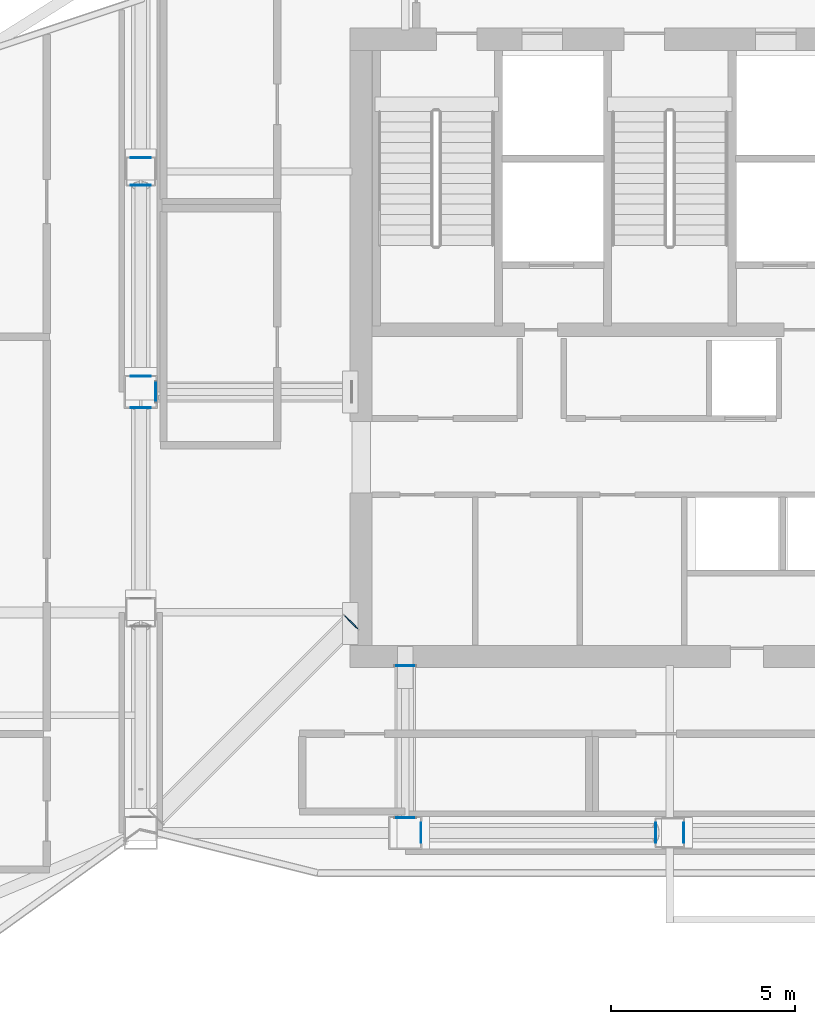
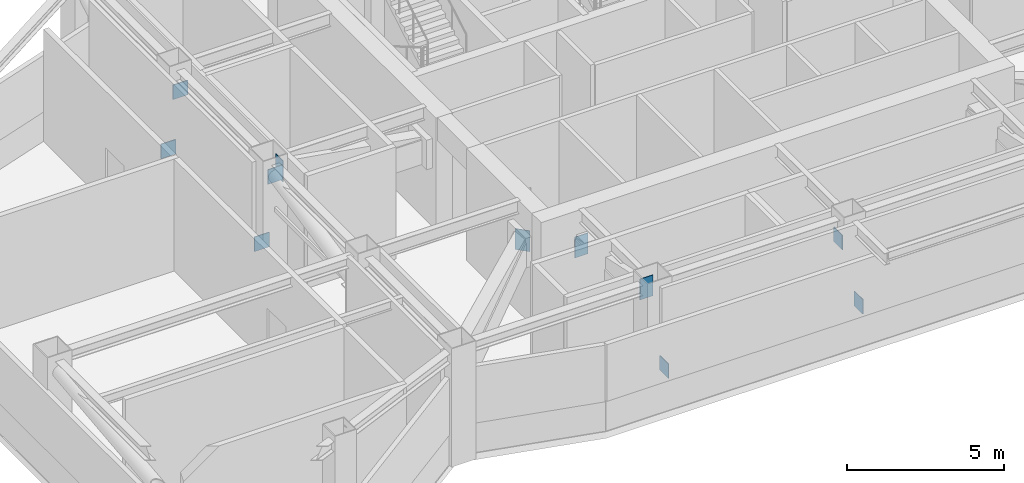
# One storey, part 7 of 19: 11 plates.
"""IFC4 building model written with IfcOpenShell, lengths in metres."""

from ifc_helpers import new_model, si_unit, direction, frame, origin, origin_2d, place, context, subcontext, project, spatial, rectangle, extrude, material, layer, layer_set, type_object, element, save


model = new_model("IFC4")

# Units and contexts
model_context = context("Model", 3, precision=1e-05, world=origin(), true_north=direction((0.0, 1.0)))
body_context = subcontext(model_context, "Body", "Model", "MODEL_VIEW")
ifc_project = project(units=[si_unit("LENGTHUNIT", "METRE"), si_unit("AREAUNIT", "SQUARE_METRE"), si_unit("VOLUMEUNIT", "CUBIC_METRE"), si_unit("PLANEANGLEUNIT", "RADIAN"), si_unit("MASSUNIT", "GRAM", prefix="KILO")], contexts=[model_context])

# Site, building, storey
site_placement = place(None, origin())
site = spatial("IfcSite", under=ifc_project, at=site_placement, CompositionType="ELEMENT")
building_placement = place(site_placement, origin())
building = spatial("IfcBuilding", under=site, at=building_placement, Name="Haolan Belvedere Tower", CompositionType="ELEMENT")
storey_placement = place(building_placement, frame((0.0, 0.0, 230.60009765625)))
storey = spatial("IfcBuildingStorey", under=building, at=storey_placement, Name="L58", CompositionType="ELEMENT", Elevation=230.60009765625)

# Plates
ifc_material = material(Name="Steel Q355B", Category="steel")
ifc_layer = layer(ifc_material, 0.02490234375, Name="Steel Q355B")
ifc_layer_set = layer_set([ifc_layer], Name="Steel Q355B")
plate_type = type_object("IfcPlateType", Name="PL-CAP-25", PredefinedType="SHEET", material=ifc_layer_set)
for number, where, z_axis, x_axis, name in (
    (1, (24.40771484375, 33.60009765625, 3.386962890625), (0.0, 0.0, 1.0), (0.0, -1.0, 0.0), "Hollow steel end-cap plate OR-W1-L58-DG-CAP1"),
    (2, (29.72998046875, 27.330078125, 2.513427734375), (0.0, 0.0, 1.0), (-0.707106781187, 0.707106781187, 0.0), "Hollow steel end-cap plate OR-W2-L58-DG-CAP0"),
    (3, (31.199951171875, 26.142333984375, 2.51220703125), (0.0, 0.0, 1.0), (-1.0, 0.0, 0.0), "Hollow steel end-cap plate OR-S1-L58-DG-CAP0"),
    (4, (31.199951171875, 22.0078125, 3.387451171875), (0.0, 0.0, 1.0), (1.0, 0.0, 0.0), "Hollow steel end-cap plate OR-S1-L58-DG-CAP1"),
):
    element("IfcPlate", number, at=place(storey_placement, frame(where, z_axis=z_axis, x_axis=x_axis)), inside=storey, type_object=plate_type, Name=name, PredefinedType="SHEET", context=body_context, shape_type="SweptSolid", body=[
        extrude(rectangle(XDim=0.489990234375, YDim=0.02490234375, at=origin_2d()), origin(), (0.0, 0.0, 1.0), 0.81005859375),
    ])
for number, where, z_axis, x_axis, name in (
    (5, (24.0, 33.172119140625, 3.6484375), (0.0, 0.0, 1.0), (-1.0, 0.0, 0.0), "Hollow steel end-cap plate BT-W2-L58-CAP1"),
    (6, (24.0, 34.029052734375, 0.509765625), (0.0, 0.0, 1.0), (1.0, 0.0, 0.0), "Hollow steel end-cap plate BT-W3-L58-CAP0"),
    (7, (24.0, 39.220947265625, 3.271484375), (0.0, 0.0, 1.0), (-1.0, 0.0, 0.0), "Hollow steel end-cap plate BT-W3-L58-CAP1"),
    (8, (24.0, 39.97900390625, 0.509765625), (0.0, 0.0, 1.0), (1.0, 0.0, 0.0), "Hollow steel end-cap plate BT-W4-L58-CAP0"),
    (9, (31.62841796875, 21.60009765625, 0.5107421875), (0.0, 0.0, 1.0), (0.0, -1.0, 0.0), "Hollow steel end-cap plate BT-S1-L58-CAP0"),
    (10, (38.021484375, 21.60009765625, 3.27099609375), (0.0, 0.0, 1.0), (0.0, 1.0, 0.0), "Hollow steel end-cap plate BT-S1-L58-CAP1"),
    (11, (38.778564453125, 21.60009765625, 0.5107421875), (0.0, 0.0, 1.0), (0.0, -1.0, 0.0), "Hollow steel end-cap plate BT-S2-L58-CAP0"),
):
    element("IfcPlate", number, at=place(storey_placement, frame(where, z_axis=z_axis, x_axis=x_axis)), inside=storey, type_object=plate_type, Name=name, PredefinedType="SHEET", context=body_context, shape_type="SweptSolid", body=[
        extrude(rectangle(XDim=0.548095703125, YDim=0.02490234375, at=origin_2d()), origin(), (0.0, 0.0, 1.0), 0.568115234375),
    ])

save(model, "model.ifc")
